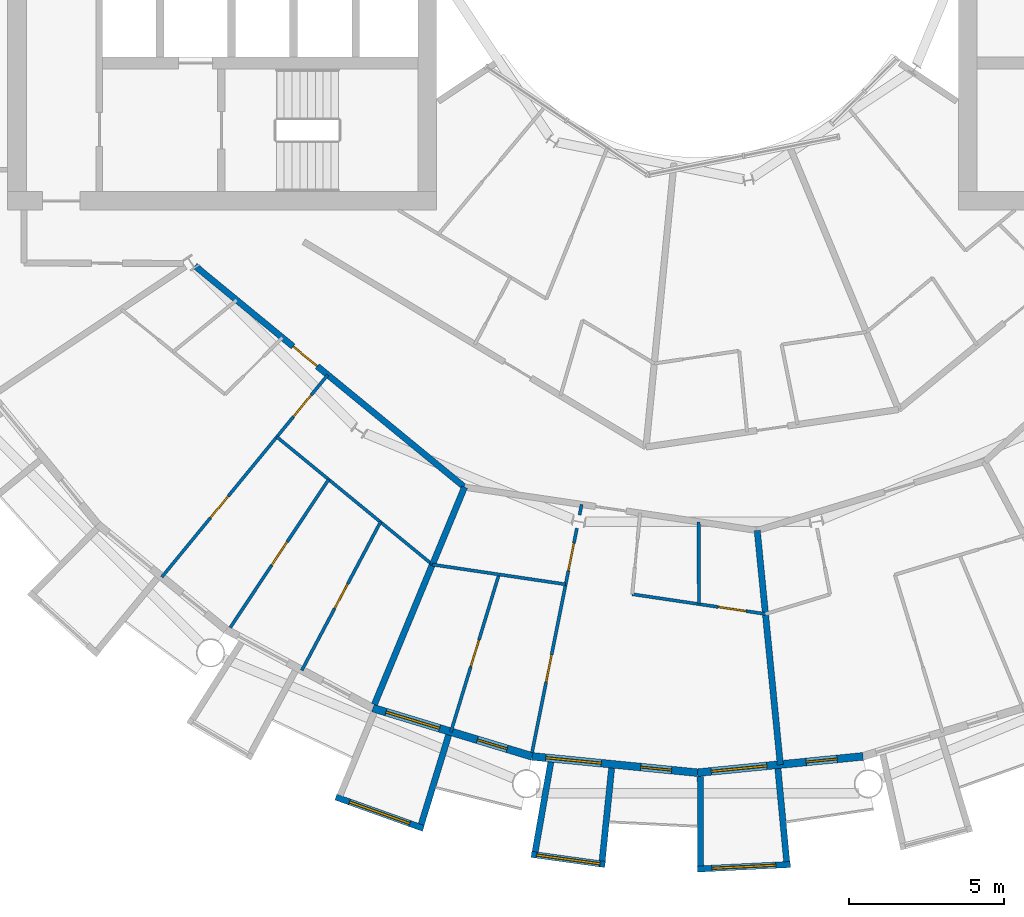
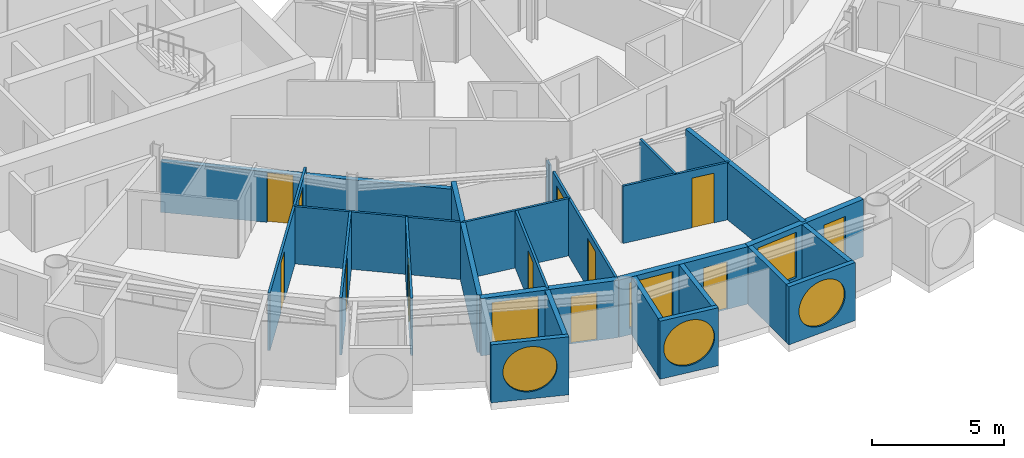
# One storey, part 14 of 27: 25 walls, 12 doors, 6 windows, 18 openings.
"""IFC4 building model written with IfcOpenShell, lengths in metres."""

from ifc_helpers import new_model, si_unit, direction, frame, frame_2d, origin, place, context, subcontext, project, spatial, rectangle, circle, extrude, material, layer, layer_set, type_object, element, fill, save


model = new_model("IFC4")

# Units and contexts
model_context = context("Model", 3, precision=1e-05, world=origin(), true_north=direction((0.0, 1.0)))
body_context = subcontext(model_context, "Body", "Model", "MODEL_VIEW")
ifc_project = project(units=[si_unit("LENGTHUNIT", "METRE"), si_unit("AREAUNIT", "SQUARE_METRE"), si_unit("VOLUMEUNIT", "CUBIC_METRE"), si_unit("PLANEANGLEUNIT", "RADIAN"), si_unit("MASSUNIT", "GRAM", prefix="KILO")], contexts=[model_context])

# Site, building, storey
site_placement = place(None, origin())
site = spatial("IfcSite", under=ifc_project, at=site_placement, CompositionType="ELEMENT")
building_placement = place(site_placement, origin())
building = spatial("IfcBuilding", under=site, at=building_placement, Name="Maasbend Ring Residences", CompositionType="ELEMENT")
storey_placement = place(building_placement, frame((0.0, 0.0, 136.050048828125)))
storey = spatial("IfcBuildingStorey", under=building, at=storey_placement, Name="L39", CompositionType="ELEMENT", Elevation=136.050048828125)

# Wall, opening, door
ifc_material_1 = material(Name="Concrete C30/37", Category="concrete")
ifc_layer_1 = layer(ifc_material_1, 0.199951171875)
ifc_layer_set_1 = layer_set([ifc_layer_1], Name="Concrete C30/37")
wall_type_1 = type_object("IfcWallType", Name="CORRIDOR WALL 200 CONCRETE", PredefinedType="PARTITIONING", material=ifc_layer_set_1)
wall_1_placement = place(storey_placement, frame((-16.173095703125, -10.990966796875, 0.0), z_axis=(0.0, 0.0, 1.0), x_axis=(0.773013989296, -0.634388975591, 0.0)))
wall_1 = element("IfcWall", 1, at=wall_1_placement, inside=storey, type_object=wall_type_1, Name="U-L39-w015", PredefinedType="PARTITIONING", context=body_context, shape_type="SweptSolid", body=[
    extrude(rectangle(XDim=11.218505859375, YDim=0.199951171875, at=frame_2d((5.609375, 0.0))), origin(), (0.0, 0.0, 1.0), 2.33984375),
])
opening_1_placement = place(wall_1_placement, frame((4.089111328125, 0.0, 0.0)))
opening_1 = element("IfcOpeningElement", 2, at=opening_1_placement, cuts=wall_1, Name="Opening D-3936", PredefinedType="OPENING", context=body_context, shape_type="SweptSolid", body=[
    extrude(rectangle(XDim=1.0, YDim=2.300048828125, at=frame_2d((0.5, 1.14990234375))), frame((0.0, 0.10986328125, 0.0), z_axis=(0.0, -1.0, 0.0), x_axis=(1.0, 0.0, 0.0)), (0.0, 0.0, 1.0), 0.219970703125),
])
ifc_material_2 = material(Name="Timber, fire-rated, painted", Category="wood")
door_type_1 = type_object("IfcDoorType", Name="FLAT ENTRANCE DOOR 1000 X 2300 FIRE-RATED", OperationType="NOTDEFINED", PredefinedType="DOOR", material=ifc_material_2)
door_1_placement = place(opening_1_placement, origin())
door_1 = element("IfcDoor", 3, at=door_1_placement, inside=storey, type_object=door_type_1, Name="D-3936", OperationType="SINGLE_SWING_LEFT", OverallHeight=2.300048828125, OverallWidth=1.0, PredefinedType="DOOR", context=body_context, shape_type="SweptSolid", body=[
    extrude(rectangle(XDim=1.0, YDim=2.300048828125, at=frame_2d((0.5, 1.14990234375))), frame((0.0, 0.02490234375, 0.0), z_axis=(0.0, -1.0, 0.0), x_axis=(1.0, 0.0, 0.0)), (0.0, 0.0, 1.0), 0.050048828125),
])
fill(opening_1, door_1)

# Wall, opening, window
ifc_material_3 = material(Name="Pale anodised aluminium panel", Category="aluminium")
ifc_layer_2 = layer(ifc_material_3, 0.199951171875)
ifc_layer_set_2 = layer_set([ifc_layer_2], Name="EW-BOX")
wall_type_2 = type_object("IfcWallType", Name="EW-BOX", PredefinedType="SOLIDWALL", material=ifc_layer_set_2)
wall_2_placement = place(storey_placement, frame((-11.637939453125, -28.083984375, -0.030029296875), z_axis=(0.0, 0.0, 1.0), x_axis=(0.941461077774, -0.337121697664, 0.0)))
wall_2 = element("IfcWall", 4, at=wall_2_placement, inside=storey, type_object=wall_type_2, Name="Box front S07", PredefinedType="SOLIDWALL", context=body_context, shape_type="SweptSolid", body=[
    extrude(rectangle(XDim=2.9931640625, YDim=0.199951171875, at=frame_2d((1.49658203125, 0.0))), origin(), (0.0, 0.0, 1.0), 2.679931640625),
])
opening_2_placement = place(wall_2_placement, frame((0.45654296875, 0.0, 0.330078125)))
opening_2 = element("IfcOpeningElement", 5, at=opening_2_placement, cuts=wall_2, Name="Opening W-RD", PredefinedType="OPENING", context=body_context, shape_type="SweptSolid", body=[
    extrude(circle(Radius=1.0400390625, at=frame_2d((1.0400390625, 1.0400390625))), frame((0.0, 0.10986328125, 0.0), z_axis=(0.0, -1.0, 0.0), x_axis=(1.0, 0.0, 0.0)), (0.0, 0.0, 1.0), 0.219970703125),
])
ifc_material_4 = material(Name="Aluminium and clear glass", Category="aluminium")
window_type_1 = type_object("IfcWindowType", Name="W-RD", PartitioningType="SINGLE_PANEL", PredefinedType="WINDOW", material=ifc_material_4)
window_1_placement = place(opening_2_placement, origin())
window_1 = element("IfcWindow", 6, at=window_1_placement, inside=storey, type_object=window_type_1, Name="Round window S07", OverallHeight=2.080078125, OverallWidth=2.080078125, PartitioningType="SINGLE_PANEL", PredefinedType="WINDOW", context=body_context, shape_type="SweptSolid", body=[
    extrude(circle(Radius=1.0400390625, at=frame_2d((1.0400390625, 1.0400390625))), frame((0.0, 0.030029296875, 0.0), z_axis=(0.0, -1.0, 0.0), x_axis=(1.0, 0.0, 0.0)), (0.0, 0.0, 1.0), 0.06005859375),
])
fill(opening_2, window_1)

# Wall
wall_3_placement = place(storey_placement, frame((-8.009033203125, -26.092041015625, -0.030029296875), z_axis=(0.0, 0.0, 1.0), x_axis=(-0.293406695073, -0.955987715029, 0.0)))
element("IfcWall", 7, at=wall_3_placement, inside=storey, type_object=wall_type_2, Name="Box side wall S07 right", PredefinedType="SOLIDWALL", context=body_context, shape_type="SweptSolid", body=[
    extrude(rectangle(XDim=3.00634765625, YDim=0.199951171875, at=frame_2d((1.503173828125, 0.0))), origin(), (0.0, 0.0, 1.0), 2.679931640625),
])

# Wall, opening, window
wall_4_placement = place(storey_placement, frame((-5.344970703125, -29.927001953125, -0.030029296875), z_axis=(0.0, 0.0, 1.0), x_axis=(0.99061207328, -0.136703036805, 0.0)))
wall_4 = element("IfcWall", 8, at=wall_4_placement, inside=storey, type_object=wall_type_2, Name="Box front S09", PredefinedType="SOLIDWALL", context=body_context, shape_type="SweptSolid", body=[
    extrude(rectangle(XDim=2.391357421875, YDim=0.199951171875, at=frame_2d((1.19580078125, 0.0))), origin(), (0.0, 0.0, 1.0), 2.679931640625),
])
opening_3_placement = place(wall_4_placement, frame((0.15576171875, 0.0, 0.330078125)))
opening_3 = element("IfcOpeningElement", 9, at=opening_3_placement, cuts=wall_4, Name="Opening W-RD", PredefinedType="OPENING", context=body_context, shape_type="SweptSolid", body=[
    extrude(circle(Radius=1.0400390625, at=frame_2d((1.0400390625, 1.0400390625))), frame((0.0, 0.10986328125, 0.0), z_axis=(0.0, -1.0, 0.0), x_axis=(1.0, 0.0, 0.0)), (0.0, 0.0, 1.0), 0.219970703125),
])
window_2_placement = place(opening_3_placement, origin())
window_2 = element("IfcWindow", 10, at=window_2_placement, inside=storey, type_object=window_type_1, Name="Round window S09", OverallHeight=2.080078125, OverallWidth=2.080078125, PartitioningType="SINGLE_PANEL", PredefinedType="WINDOW", context=body_context, shape_type="SweptSolid", body=[
    extrude(circle(Radius=1.0400390625, at=frame_2d((1.0400390625, 1.0400390625))), frame((0.0, 0.030029296875, 0.0), z_axis=(0.0, -1.0, 0.0), x_axis=(1.0, 0.0, 0.0)), (0.0, 0.0, 1.0), 0.06005859375),
])
fill(opening_3, window_2)

# Walls
wall_5_placement = place(storey_placement, frame((-4.719970703125, -26.9609375, -0.030029296875), z_axis=(0.0, 0.0, 1.0), x_axis=(-0.172463232037, -0.98501595601, 0.0)))
element("IfcWall", 11, at=wall_5_placement, inside=storey, type_object=wall_type_2, Name="Box side wall S09 left", PredefinedType="SOLIDWALL", context=body_context, shape_type="SweptSolid", body=[
    extrude(rectangle(XDim=2.928955078125, YDim=0.199951171875, at=frame_2d((1.46435546875, 0.0))), origin(), (0.0, 0.0, 1.0), 2.679931640625),
])
wall_6_placement = place(storey_placement, frame((-2.763916015625, -27.153076171875, -0.030029296875), z_axis=(0.0, 0.0, 1.0), x_axis=(-0.101505487237, -0.994834979311, 0.0)))
element("IfcWall", 12, at=wall_6_placement, inside=storey, type_object=wall_type_2, Name="Box side wall S09 right", PredefinedType="SOLIDWALL", context=body_context, shape_type="SweptSolid", body=[
    extrude(rectangle(XDim=3.006591796875, YDim=0.199951171875, at=frame_2d((1.50341796875, 0.0))), origin(), (0.0, 0.0, 1.0), 2.679931640625),
])

# Wall, opening, window
wall_7_placement = place(storey_placement, frame((-0.0048828125, -30.39990234375, -0.030029296875), z_axis=(0.0, 0.0, 1.0), x_axis=(0.998794083011, 0.049095618353, 0.0)))
wall_7 = element("IfcWall", 13, at=wall_7_placement, inside=storey, type_object=wall_type_2, Name="Box front S11", PredefinedType="SOLIDWALL", context=body_context, shape_type="SweptSolid", body=[
    extrude(rectangle(XDim=2.99365234375, YDim=0.199951171875, at=frame_2d((1.496826171875, 0.0))), origin(), (0.0, 0.0, 1.0), 2.679931640625),
])
opening_4_placement = place(wall_7_placement, frame((0.45654296875, 0.0, 0.330078125)))
opening_4 = element("IfcOpeningElement", 14, at=opening_4_placement, cuts=wall_7, Name="Opening W-RD", PredefinedType="OPENING", context=body_context, shape_type="SweptSolid", body=[
    extrude(circle(Radius=1.0400390625, at=frame_2d((1.0400390625, 1.0400390625))), frame((0.0, 0.10986328125, 0.0), z_axis=(0.0, -1.0, 0.0), x_axis=(1.0, 0.0, 0.0)), (0.0, 0.0, 1.0), 0.219970703125),
])
window_3_placement = place(opening_4_placement, origin())
window_3 = element("IfcWindow", 15, at=window_3_placement, inside=storey, type_object=window_type_1, Name="Round window S11", OverallHeight=2.080078125, OverallWidth=2.080078125, PartitioningType="SINGLE_PANEL", PredefinedType="WINDOW", context=body_context, shape_type="SweptSolid", body=[
    extrude(circle(Radius=1.0400390625, at=frame_2d((1.0400390625, 1.0400390625))), frame((0.0, 0.030029296875, 0.0), z_axis=(0.0, -1.0, 0.0), x_axis=(1.0, 0.0, 0.0)), (0.0, 0.0, 1.0), 0.06005859375),
])
fill(opening_4, window_3)

# Walls
wall_8_placement = place(storey_placement, frame((0.090087890625, -27.4169921875, -0.030029296875), z_axis=(0.0, 0.0, 1.0), x_axis=(0.00347308367, -0.999993968827, 0.0)))
element("IfcWall", 16, at=wall_8_placement, inside=storey, type_object=wall_type_2, Name="Box side wall S11 left", PredefinedType="SOLIDWALL", context=body_context, shape_type="SweptSolid", body=[
    extrude(rectangle(XDim=2.882080078125, YDim=0.199951171875, at=frame_2d((1.44091796875, 0.0))), origin(), (0.0, 0.0, 1.0), 2.679931640625),
])
wall_9_placement = place(storey_placement, frame((2.5859375, -27.1708984375, -0.030029296875), z_axis=(0.0, 0.0, 1.0), x_axis=(0.094548432284, -0.995520262954, 0.0)))
element("IfcWall", 17, at=wall_9_placement, inside=storey, type_object=wall_type_2, Name="Box side wall S11 right", PredefinedType="SOLIDWALL", context=body_context, shape_type="SweptSolid", body=[
    extrude(rectangle(XDim=3.005615234375, YDim=0.199951171875, at=frame_2d((1.5029296875, 0.0))), origin(), (0.0, 0.0, 1.0), 2.679931640625),
])

# Wall, openings, door, window
ifc_material_5 = material(Name="Aluminium clad insulated panel", Category="aluminium")
ifc_layer_3 = layer(ifc_material_5, 0.25)
ifc_layer_set_3 = layer_set([ifc_layer_3], Name="EW-GL")
wall_type_3 = type_object("IfcWallType", Name="EW-GL", PredefinedType="SOLIDWALL", material=ifc_layer_set_3)
wall_10_placement = place(storey_placement, frame((-10.447021484375, -25.221923828125, 0.0), z_axis=(0.0, 0.0, 1.0), x_axis=(0.956965678721, -0.290201119486, 0.0)))
wall_10 = element("IfcWall", 18, at=wall_10_placement, inside=storey, type_object=wall_type_3, Name="External wall S04", PredefinedType="SOLIDWALL", context=body_context, shape_type="SweptSolid", body=[
    extrude(rectangle(XDim=5.351318359375, YDim=0.25, at=frame_2d((2.67578125, 0.0))), origin(), (0.0, 0.0, 1.0), 2.64990234375),
])
opening_5_placement = place(wall_10_placement, frame((0.441162109375, 0.0, 0.300048828125)))
opening_5 = element("IfcOpeningElement", 19, at=opening_5_placement, cuts=wall_10, Name="Opening W-BX", PredefinedType="OPENING", context=body_context, shape_type="SweptSolid", body=[
    extrude(rectangle(XDim=1.800048828125, YDim=2.10009765625, at=frame_2d((0.89990234375, 1.050048828125))), frame((0.0, 0.135009765625, 0.0), z_axis=(0.0, -1.0, 0.0), x_axis=(1.0, 0.0, 0.0)), (0.0, 0.0, 1.0), 0.27001953125),
])
opening_6_placement = place(wall_10_placement, frame((3.510498046875, 0.0, 0.0)))
opening_6 = element("IfcOpeningElement", 20, at=opening_6_placement, cuts=wall_10, Name="Opening D-LG", PredefinedType="OPENING", context=body_context, shape_type="SweptSolid", body=[
    extrude(rectangle(XDim=1.0, YDim=2.199951171875, at=frame_2d((0.5, 1.10009765625))), frame((0.0, 0.135009765625, 0.0), z_axis=(0.0, -1.0, 0.0), x_axis=(1.0, 0.0, 0.0)), (0.0, 0.0, 1.0), 0.27001953125),
])
ifc_material_6 = material(Name="Aluminium and clear glass", Category="aluminium")
door_type_2 = type_object("IfcDoorType", Name="D-LG", OperationType="SINGLE_SWING_LEFT", PredefinedType="DOOR", material=ifc_material_6)
door_2_placement = place(opening_6_placement, origin())
door_2 = element("IfcDoor", 21, at=door_2_placement, inside=storey, type_object=door_type_2, Name="Loggia door S08", OperationType="SINGLE_SWING_LEFT", OverallHeight=2.199951171875, OverallWidth=1.0, PredefinedType="DOOR", context=body_context, shape_type="SweptSolid", body=[
    extrude(rectangle(XDim=1.0, YDim=2.199951171875, at=frame_2d((0.5, 1.10009765625))), frame((0.0, 0.02490234375, 0.0), z_axis=(0.0, -1.0, 0.0), x_axis=(1.0, 0.0, 0.0)), (0.0, 0.0, 1.0), 0.050048828125),
])
fill(opening_6, door_2)
ifc_material_7 = material(Name="Aluminium and clear glass", Category="aluminium")
window_type_2 = type_object("IfcWindowType", Name="W-BX", PartitioningType="DOUBLE_PANEL_VERTICAL", PredefinedType="WINDOW", material=ifc_material_7)
window_4_placement = place(opening_5_placement, origin())
window_4 = element("IfcWindow", 22, at=window_4_placement, inside=storey, type_object=window_type_2, Name="Window S07 room to box", OverallHeight=2.10009765625, OverallWidth=1.800048828125, PartitioningType="SINGLE_PANEL", PredefinedType="WINDOW", context=body_context, shape_type="SweptSolid", body=[
    extrude(rectangle(XDim=1.800048828125, YDim=2.10009765625, at=frame_2d((0.89990234375, 1.050048828125))), frame((0.0, 0.030029296875, 0.0), z_axis=(0.0, -1.0, 0.0), x_axis=(1.0, 0.0, 0.0)), (0.0, 0.0, 1.0), 0.06005859375),
])
fill(opening_5, window_4)

wall_11_placement = place(storey_placement, frame((-5.325927734375, -26.77490234375, 0.0), z_axis=(0.0, 0.0, 1.0), x_axis=(0.995173996315, -0.098126026407, 0.0)))
wall_11 = element("IfcWall", 23, at=wall_11_placement, inside=storey, type_object=wall_type_3, Name="External wall S05", PredefinedType="SOLIDWALL", context=body_context, shape_type="SweptSolid", body=[
    extrude(rectangle(XDim=5.351806640625, YDim=0.25, at=frame_2d((2.67578125, 0.0))), origin(), (0.0, 0.0, 1.0), 2.64990234375),
])
opening_7_placement = place(wall_11_placement, frame((0.441162109375, 0.0, 0.300048828125)))
opening_7 = element("IfcOpeningElement", 24, at=opening_7_placement, cuts=wall_11, Name="Opening W-BX", PredefinedType="OPENING", context=body_context, shape_type="SweptSolid", body=[
    extrude(rectangle(XDim=1.800048828125, YDim=2.10009765625, at=frame_2d((0.89990234375, 1.050048828125))), frame((0.0, 0.135009765625, 0.0), z_axis=(0.0, -1.0, 0.0), x_axis=(1.0, 0.0, 0.0)), (0.0, 0.0, 1.0), 0.27001953125),
])
opening_8_placement = place(wall_11_placement, frame((3.510498046875, 0.0, 0.0)))
opening_8 = element("IfcOpeningElement", 25, at=opening_8_placement, cuts=wall_11, Name="Opening D-LG", PredefinedType="OPENING", context=body_context, shape_type="SweptSolid", body=[
    extrude(rectangle(XDim=1.0, YDim=2.199951171875, at=frame_2d((0.5, 1.10009765625))), frame((0.0, 0.135009765625, 0.0), z_axis=(0.0, -1.0, 0.0), x_axis=(1.0, 0.0, 0.0)), (0.0, 0.0, 1.0), 0.27001953125),
])
door_3_placement = place(opening_8_placement, origin())
door_3 = element("IfcDoor", 26, at=door_3_placement, inside=storey, type_object=door_type_2, Name="Loggia door S10", OperationType="SINGLE_SWING_LEFT", OverallHeight=2.199951171875, OverallWidth=1.0, PredefinedType="DOOR", context=body_context, shape_type="SweptSolid", body=[
    extrude(rectangle(XDim=1.0, YDim=2.199951171875, at=frame_2d((0.5, 1.10009765625))), frame((0.0, 0.02490234375, 0.0), z_axis=(0.0, -1.0, 0.0), x_axis=(1.0, 0.0, 0.0)), (0.0, 0.0, 1.0), 0.050048828125),
])
fill(opening_8, door_3)
window_5_placement = place(opening_7_placement, origin())
window_5 = element("IfcWindow", 27, at=window_5_placement, inside=storey, type_object=window_type_2, Name="Window S09 room to box", OverallHeight=2.10009765625, OverallWidth=1.800048828125, PartitioningType="SINGLE_PANEL", PredefinedType="WINDOW", context=body_context, shape_type="SweptSolid", body=[
    extrude(rectangle(XDim=1.800048828125, YDim=2.10009765625, at=frame_2d((0.89990234375, 1.050048828125))), frame((0.0, 0.030029296875, 0.0), z_axis=(0.0, -1.0, 0.0), x_axis=(1.0, 0.0, 0.0)), (0.0, 0.0, 1.0), 0.06005859375),
])
fill(opening_7, window_5)

wall_12_placement = place(storey_placement, frame((0.0, -27.300048828125, 0.0), z_axis=(0.0, 0.0, 1.0), x_axis=(0.995173996315, 0.098126026407, 0.0)))
wall_12 = element("IfcWall", 28, at=wall_12_placement, inside=storey, type_object=wall_type_3, Name="External wall S06", PredefinedType="SOLIDWALL", context=body_context, shape_type="SweptSolid", body=[
    extrude(rectangle(XDim=5.351806640625, YDim=0.25, at=frame_2d((2.67578125, 0.0))), origin(), (0.0, 0.0, 1.0), 2.64990234375),
])
opening_9_placement = place(wall_12_placement, frame((0.441162109375, 0.0, 0.300048828125)))
opening_9 = element("IfcOpeningElement", 29, at=opening_9_placement, cuts=wall_12, Name="Opening W-BX", PredefinedType="OPENING", context=body_context, shape_type="SweptSolid", body=[
    extrude(rectangle(XDim=1.800048828125, YDim=2.10009765625, at=frame_2d((0.89990234375, 1.050048828125))), frame((0.0, 0.135009765625, 0.0), z_axis=(0.0, -1.0, 0.0), x_axis=(1.0, 0.0, 0.0)), (0.0, 0.0, 1.0), 0.27001953125),
])
opening_10_placement = place(wall_12_placement, frame((3.510498046875, 0.0, 0.0)))
opening_10 = element("IfcOpeningElement", 30, at=opening_10_placement, cuts=wall_12, Name="Opening D-LG", PredefinedType="OPENING", context=body_context, shape_type="SweptSolid", body=[
    extrude(rectangle(XDim=1.0, YDim=2.199951171875, at=frame_2d((0.5, 1.10009765625))), frame((0.0, 0.135009765625, 0.0), z_axis=(0.0, -1.0, 0.0), x_axis=(1.0, 0.0, 0.0)), (0.0, 0.0, 1.0), 0.27001953125),
])
door_4_placement = place(opening_10_placement, origin())
door_4 = element("IfcDoor", 31, at=door_4_placement, inside=storey, type_object=door_type_2, Name="Loggia door S12", OperationType="SINGLE_SWING_LEFT", OverallHeight=2.199951171875, OverallWidth=1.0, PredefinedType="DOOR", context=body_context, shape_type="SweptSolid", body=[
    extrude(rectangle(XDim=1.0, YDim=2.199951171875, at=frame_2d((0.5, 1.10009765625))), frame((0.0, 0.02490234375, 0.0), z_axis=(0.0, -1.0, 0.0), x_axis=(1.0, 0.0, 0.0)), (0.0, 0.0, 1.0), 0.050048828125),
])
fill(opening_10, door_4)
window_6_placement = place(opening_9_placement, origin())
window_6 = element("IfcWindow", 32, at=window_6_placement, inside=storey, type_object=window_type_2, Name="Window S11 room to box", OverallHeight=2.10009765625, OverallWidth=1.800048828125, PartitioningType="SINGLE_PANEL", PredefinedType="WINDOW", context=body_context, shape_type="SweptSolid", body=[
    extrude(rectangle(XDim=1.800048828125, YDim=2.10009765625, at=frame_2d((0.89990234375, 1.050048828125))), frame((0.0, 0.030029296875, 0.0), z_axis=(0.0, -1.0, 0.0), x_axis=(1.0, 0.0, 0.0)), (0.0, 0.0, 1.0), 0.06005859375),
])
fill(opening_9, window_6)

# Wall
ifc_material_8 = material(Name="Gypsum board on steel studs", Category="steel")
ifc_layer_4 = layer(ifc_material_8, 0.10009765625)
ifc_layer_set_4 = layer_set([ifc_layer_4], Name="PARTITION 100 GYPSUM")
wall_type_4 = type_object("IfcWallType", Name="PARTITION 100 GYPSUM", PredefinedType="PARTITIONING", material=ifc_layer_set_4)
wall_13_placement = place(storey_placement, frame((-8.533935546875, -20.60302734375, 0.0), z_axis=(0.0, 0.0, 1.0), x_axis=(0.989178348771, -0.146718077695, 0.0)))
element("IfcWall", 33, at=wall_13_placement, inside=storey, type_object=wall_type_4, Name="U-L39-w005", PredefinedType="PARTITIONING", context=body_context, shape_type="SweptSolid", body=[
    extrude(rectangle(XDim=4.334716796875, YDim=0.10009765625, at=frame_2d((2.16748046875, 0.0))), origin(), (0.0, 0.0, 1.0), 2.64990234375),
])

# Wall, opening, door
wall_14_placement = place(storey_placement, frame((-2.10205078125, -21.556884765625, 0.0), z_axis=(0.0, 0.0, 1.0), x_axis=(0.989171386505, -0.146765009863, 0.0)))
wall_14 = element("IfcWall", 34, at=wall_14_placement, inside=storey, type_object=wall_type_4, Name="U-L39-w006", PredefinedType="PARTITIONING", context=body_context, shape_type="SweptSolid", body=[
    extrude(rectangle(XDim=4.3349609375, YDim=0.10009765625, at=frame_2d((2.16748046875, 0.0))), origin(), (0.0, 0.0, 1.0), 2.64990234375),
])
opening_11_placement = place(wall_14_placement, frame((2.801025390625, 0.0, 0.0)))
opening_11 = element("IfcOpeningElement", 35, at=opening_11_placement, cuts=wall_14, Name="Opening D-3944", PredefinedType="OPENING", context=body_context, shape_type="SweptSolid", body=[
    extrude(rectangle(XDim=0.89990234375, YDim=2.300048828125, at=frame_2d((0.449951171875, 1.14990234375))), frame((0.0, 0.06005859375, 0.0), z_axis=(0.0, -1.0, 0.0), x_axis=(1.0, 0.0, 0.0)), (0.0, 0.0, 1.0), 0.1201171875),
])
ifc_material_9 = material(Name="Timber, painted", Category="wood")
door_type_3 = type_object("IfcDoorType", Name="INTERNAL DOOR 900 X 2300", OperationType="NOTDEFINED", PredefinedType="DOOR", material=ifc_material_9)
door_5_placement = place(opening_11_placement, origin())
door_5 = element("IfcDoor", 36, at=door_5_placement, inside=storey, type_object=door_type_3, Name="D-3944", OperationType="SINGLE_SWING_RIGHT", OverallHeight=2.300048828125, OverallWidth=0.89990234375, PredefinedType="DOOR", context=body_context, shape_type="SweptSolid", body=[
    extrude(rectangle(XDim=0.89990234375, YDim=2.300048828125, at=frame_2d((0.449951171875, 1.14990234375))), frame((0.0, 0.02490234375, 0.0), z_axis=(0.0, -1.0, 0.0), x_axis=(1.0, 0.0, 0.0)), (0.0, 0.0, 1.0), 0.050048828125),
])
fill(opening_11, door_5)

# Wall
wall_15_placement = place(storey_placement, frame((-13.5380859375, -16.49609375, 0.0), z_axis=(0.0, 0.0, 1.0), x_axis=(0.773000340237, -0.634405606843, 0.0)))
element("IfcWall", 37, at=wall_15_placement, inside=storey, type_object=wall_type_4, Name="U-L39-w010", PredefinedType="PARTITIONING", context=body_context, shape_type="SweptSolid", body=[
    extrude(rectangle(XDim=6.4736328125, YDim=0.10009765625, at=frame_2d((3.23681640625, 0.0))), origin(), (0.0, 0.0, 1.0), 2.64990234375),
])

# Wall, openings, doors
wall_16_placement = place(storey_placement, frame((-17.239990234375, -21.007080078125, 0.0), z_axis=(0.0, 0.0, 1.0), x_axis=(0.634396151441, 0.77300810024, 0.0)))
wall_16 = element("IfcWall", 38, at=wall_16_placement, inside=storey, type_object=wall_type_4, Name="U-L39-w031", PredefinedType="PARTITIONING", context=body_context, shape_type="SweptSolid", body=[
    extrude(rectangle(XDim=8.419189453125, YDim=0.10009765625, at=frame_2d((4.20947265625, 0.0))), origin(), (0.0, 0.0, 1.0), 2.64990234375),
])
opening_12_placement = place(wall_16_placement, frame((6.678955078125, 0.0, 0.0)))
opening_12 = element("IfcOpeningElement", 39, at=opening_12_placement, cuts=wall_16, Name="Opening D-3939", PredefinedType="OPENING", context=body_context, shape_type="SweptSolid", body=[
    extrude(rectangle(XDim=0.89990234375, YDim=2.300048828125, at=frame_2d((0.449951171875, 1.14990234375))), frame((0.0, 0.06005859375, 0.0), z_axis=(0.0, -1.0, 0.0), x_axis=(1.0, 0.0, 0.0)), (0.0, 0.0, 1.0), 0.1201171875),
])
opening_13_placement = place(wall_16_placement, frame((2.468017578125, 0.0, 0.0)))
opening_13 = element("IfcOpeningElement", 40, at=opening_13_placement, cuts=wall_16, Name="Opening D-3940", PredefinedType="OPENING", context=body_context, shape_type="SweptSolid", body=[
    extrude(rectangle(XDim=0.89990234375, YDim=2.300048828125, at=frame_2d((0.449951171875, 1.14990234375))), frame((0.0, 0.06005859375, 0.0), z_axis=(0.0, -1.0, 0.0), x_axis=(1.0, 0.0, 0.0)), (0.0, 0.0, 1.0), 0.1201171875),
])
door_6_placement = place(opening_12_placement, origin())
door_6 = element("IfcDoor", 41, at=door_6_placement, inside=storey, type_object=door_type_3, Name="D-3939", OperationType="SINGLE_SWING_RIGHT", OverallHeight=2.300048828125, OverallWidth=0.89990234375, PredefinedType="DOOR", context=body_context, shape_type="SweptSolid", body=[
    extrude(rectangle(XDim=0.89990234375, YDim=2.300048828125, at=frame_2d((0.449951171875, 1.14990234375))), frame((0.0, 0.02490234375, 0.0), z_axis=(0.0, -1.0, 0.0), x_axis=(1.0, 0.0, 0.0)), (0.0, 0.0, 1.0), 0.050048828125),
])
fill(opening_12, door_6)
door_7_placement = place(opening_13_placement, origin())
door_7 = element("IfcDoor", 42, at=door_7_placement, inside=storey, type_object=door_type_3, Name="D-3940", OperationType="SINGLE_SWING_LEFT", OverallHeight=2.300048828125, OverallWidth=0.89990234375, PredefinedType="DOOR", context=body_context, shape_type="SweptSolid", body=[
    extrude(rectangle(XDim=0.89990234375, YDim=2.300048828125, at=frame_2d((0.449951171875, 1.14990234375))), frame((0.0, 0.02490234375, 0.0), z_axis=(0.0, -1.0, 0.0), x_axis=(1.0, 0.0, 0.0)), (0.0, 0.0, 1.0), 0.050048828125),
])
fill(opening_13, door_7)

# Wall, opening, door
wall_17_placement = place(storey_placement, frame((-15.0390625, -22.634033203125, 0.0), z_axis=(0.0, 0.0, 1.0), x_axis=(0.553440102418, 0.832888980018, 0.0)))
wall_17 = element("IfcWall", 43, at=wall_17_placement, inside=storey, type_object=wall_type_4, Name="U-L39-w038", PredefinedType="PARTITIONING", context=body_context, shape_type="SweptSolid", body=[
    extrude(rectangle(XDim=5.725830078125, YDim=0.10009765625, at=frame_2d((2.86279296875, 0.0))), origin(), (0.0, 0.0, 1.0), 2.64990234375),
])
opening_14_placement = place(wall_17_placement, frame((2.4130859375, 0.0, 0.0)))
opening_14 = element("IfcOpeningElement", 44, at=opening_14_placement, cuts=wall_17, Name="Opening D-3941", PredefinedType="OPENING", context=body_context, shape_type="SweptSolid", body=[
    extrude(rectangle(XDim=0.89990234375, YDim=2.300048828125, at=frame_2d((0.449951171875, 1.14990234375))), frame((0.0, 0.06005859375, 0.0), z_axis=(0.0, -1.0, 0.0), x_axis=(1.0, 0.0, 0.0)), (0.0, 0.0, 1.0), 0.1201171875),
])
door_8_placement = place(opening_14_placement, origin())
door_8 = element("IfcDoor", 45, at=door_8_placement, inside=storey, type_object=door_type_3, Name="D-3941", OperationType="SINGLE_SWING_RIGHT", OverallHeight=2.300048828125, OverallWidth=0.89990234375, PredefinedType="DOOR", context=body_context, shape_type="SweptSolid", body=[
    extrude(rectangle(XDim=0.89990234375, YDim=2.300048828125, at=frame_2d((0.449951171875, 1.14990234375))), frame((0.0, 0.02490234375, 0.0), z_axis=(0.0, -1.0, 0.0), x_axis=(1.0, 0.0, 0.0)), (0.0, 0.0, 1.0), 0.050048828125),
])
fill(opening_14, door_8)

wall_18_placement = place(storey_placement, frame((-12.73388671875, -24.007080078125, 0.0), z_axis=(0.0, 0.0, 1.0), x_axis=(0.468610030042, 0.883405139075, 0.0)))
wall_18 = element("IfcWall", 46, at=wall_18_placement, inside=storey, type_object=wall_type_4, Name="U-L39-w040", PredefinedType="PARTITIONING", context=body_context, shape_type="SweptSolid", body=[
    extrude(rectangle(XDim=5.403076171875, YDim=0.10009765625, at=frame_2d((2.70166015625, 0.0))), origin(), (0.0, 0.0, 1.0), 2.64990234375),
])
opening_15_placement = place(wall_18_placement, frame((2.251953125, 0.0, 0.0)))
opening_15 = element("IfcOpeningElement", 47, at=opening_15_placement, cuts=wall_18, Name="Opening D-3942", PredefinedType="OPENING", context=body_context, shape_type="SweptSolid", body=[
    extrude(rectangle(XDim=0.89990234375, YDim=2.300048828125, at=frame_2d((0.449951171875, 1.14990234375))), frame((0.0, 0.06005859375, 0.0), z_axis=(0.0, -1.0, 0.0), x_axis=(1.0, 0.0, 0.0)), (0.0, 0.0, 1.0), 0.1201171875),
])
door_9_placement = place(opening_15_placement, origin())
door_9 = element("IfcDoor", 48, at=door_9_placement, inside=storey, type_object=door_type_3, Name="D-3942", OperationType="SINGLE_SWING_LEFT", OverallHeight=2.300048828125, OverallWidth=0.89990234375, PredefinedType="DOOR", context=body_context, shape_type="SweptSolid", body=[
    extrude(rectangle(XDim=0.89990234375, YDim=2.300048828125, at=frame_2d((0.449951171875, 1.14990234375))), frame((0.0, 0.02490234375, 0.0), z_axis=(0.0, -1.0, 0.0), x_axis=(1.0, 0.0, 0.0)), (0.0, 0.0, 1.0), 0.050048828125),
])
fill(opening_15, door_9)

wall_19_placement = place(storey_placement, frame((-7.93798828125, -25.989990234375, 0.0), z_axis=(0.0, 0.0, 1.0), x_axis=(0.292081613207, 0.956393397732, 0.0)))
wall_19 = element("IfcWall", 49, at=wall_19_placement, inside=storey, type_object=wall_type_4, Name="U-L39-w047", PredefinedType="PARTITIONING", context=body_context, shape_type="SweptSolid", body=[
    extrude(rectangle(XDim=5.30029296875, YDim=0.10009765625, at=frame_2d((2.650146484375, 0.0))), origin(), (0.0, 0.0, 1.0), 2.64990234375),
])
opening_16_placement = place(wall_19_placement, frame((2.199951171875, 0.0, 0.0)))
opening_16 = element("IfcOpeningElement", 50, at=opening_16_placement, cuts=wall_19, Name="Opening D-3948", PredefinedType="OPENING", context=body_context, shape_type="SweptSolid", body=[
    extrude(rectangle(XDim=0.89990234375, YDim=2.300048828125, at=frame_2d((0.449951171875, 1.14990234375))), frame((0.0, 0.06005859375, 0.0), z_axis=(0.0, -1.0, 0.0), x_axis=(1.0, 0.0, 0.0)), (0.0, 0.0, 1.0), 0.1201171875),
])
door_10_placement = place(opening_16_placement, origin())
door_10 = element("IfcDoor", 51, at=door_10_placement, inside=storey, type_object=door_type_3, Name="D-3948", OperationType="SINGLE_SWING_RIGHT", OverallHeight=2.300048828125, OverallWidth=0.89990234375, PredefinedType="DOOR", context=body_context, shape_type="SweptSolid", body=[
    extrude(rectangle(XDim=0.89990234375, YDim=2.300048828125, at=frame_2d((0.449951171875, 1.14990234375))), frame((0.0, 0.02490234375, 0.0), z_axis=(0.0, -1.0, 0.0), x_axis=(1.0, 0.0, 0.0)), (0.0, 0.0, 1.0), 0.050048828125),
])
fill(opening_16, door_10)

# Wall, openings, doors
wall_20_placement = place(storey_placement, frame((-5.323974609375, -26.64892578125, 0.0), z_axis=(0.0, 0.0, 1.0), x_axis=(0.195918370415, 0.980620207896, 0.0)))
wall_20 = element("IfcWall", 52, at=wall_20_placement, inside=storey, type_object=wall_type_4, Name="U-L39-w050", PredefinedType="PARTITIONING", context=body_context, shape_type="SweptSolid", body=[
    extrude(rectangle(XDim=7.359619140625, YDim=0.10009765625, at=frame_2d((3.6796875, 0.0))), origin(), (0.0, 0.0, 1.0), 2.64990234375),
])
opening_17_placement = place(wall_20_placement, frame((5.966064453125, 0.0, 0.0)))
opening_17 = element("IfcOpeningElement", 53, at=opening_17_placement, cuts=wall_20, Name="Opening D-3946", PredefinedType="OPENING", context=body_context, shape_type="SweptSolid", body=[
    extrude(rectangle(XDim=0.89990234375, YDim=2.300048828125, at=frame_2d((0.449951171875, 1.14990234375))), frame((0.0, 0.06005859375, 0.0), z_axis=(0.0, -1.0, 0.0), x_axis=(1.0, 0.0, 0.0)), (0.0, 0.0, 1.0), 0.1201171875),
])
opening_18_placement = place(wall_20_placement, frame((2.30810546875, 0.0, 0.0)))
opening_18 = element("IfcOpeningElement", 54, at=opening_18_placement, cuts=wall_20, Name="Opening D-3947", PredefinedType="OPENING", context=body_context, shape_type="SweptSolid", body=[
    extrude(rectangle(XDim=0.89990234375, YDim=2.300048828125, at=frame_2d((0.449951171875, 1.14990234375))), frame((0.0, 0.06005859375, 0.0), z_axis=(0.0, -1.0, 0.0), x_axis=(1.0, 0.0, 0.0)), (0.0, 0.0, 1.0), 0.1201171875),
])
door_11_placement = place(opening_17_placement, origin())
door_11 = element("IfcDoor", 55, at=door_11_placement, inside=storey, type_object=door_type_3, Name="D-3946", OperationType="SINGLE_SWING_RIGHT", OverallHeight=2.300048828125, OverallWidth=0.89990234375, PredefinedType="DOOR", context=body_context, shape_type="SweptSolid", body=[
    extrude(rectangle(XDim=0.89990234375, YDim=2.300048828125, at=frame_2d((0.449951171875, 1.14990234375))), frame((0.0, 0.02490234375, 0.0), z_axis=(0.0, -1.0, 0.0), x_axis=(1.0, 0.0, 0.0)), (0.0, 0.0, 1.0), 0.050048828125),
])
fill(opening_17, door_11)
door_12_placement = place(opening_18_placement, origin())
door_12 = element("IfcDoor", 56, at=door_12_placement, inside=storey, type_object=door_type_3, Name="D-3947", OperationType="SINGLE_SWING_LEFT", OverallHeight=2.300048828125, OverallWidth=0.89990234375, PredefinedType="DOOR", context=body_context, shape_type="SweptSolid", body=[
    extrude(rectangle(XDim=0.89990234375, YDim=2.300048828125, at=frame_2d((0.449951171875, 1.14990234375))), frame((0.0, 0.02490234375, 0.0), z_axis=(0.0, -1.0, 0.0), x_axis=(1.0, 0.0, 0.0)), (0.0, 0.0, 1.0), 0.050048828125),
])
fill(opening_18, door_12)

# Walls
wall_21_placement = place(storey_placement, frame((-3.797119140625, -19.008056640625, 0.0), z_axis=(0.0, 0.0, 1.0), x_axis=(0.196386856719, 0.980526492507, 0.0)))
element("IfcWall", 57, at=wall_21_placement, inside=storey, type_object=wall_type_4, Name="U-L39-w056", PredefinedType="PARTITIONING", context=body_context, shape_type="SweptSolid", body=[
    extrude(rectangle(XDim=0.346923828125, YDim=0.10009765625, at=frame_2d((0.17333984375, 0.0))), origin(), (0.0, 0.0, 1.0), 2.64990234375),
])
wall_22_placement = place(storey_placement, frame((0.0419921875, -21.875, 0.0), z_axis=(0.0, 0.0, 1.0), x_axis=(-0.001843314841, 0.999998301094, 0.0)))
element("IfcWall", 58, at=wall_22_placement, inside=storey, type_object=wall_type_4, Name="U-L39-w062", PredefinedType="PARTITIONING", context=body_context, shape_type="SweptSolid", body=[
    extrude(rectangle(XDim=2.64892578125, YDim=0.10009765625, at=frame_2d((1.324462890625, 0.0))), origin(), (0.0, 0.0, 1.0), 2.64990234375),
])
ifc_material_10 = material(Name="Concrete C30/37", Category="concrete")
ifc_layer_5 = layer(ifc_material_10, 0.199951171875)
ifc_layer_set_5 = layer_set([ifc_layer_5], Name="Concrete C30/37")
wall_type_5 = type_object("IfcWallType", Name="PARTY WALL 200 CONCRETE", PredefinedType="PARTITIONING", material=ifc_layer_set_5)
wall_23_placement = place(storey_placement, frame((-10.39892578125, -25.10595703125, 0.0), z_axis=(0.0, 0.0, 1.0), x_axis=(0.382651153718, 0.923892902104, 0.0)))
element("IfcWall", 59, at=wall_23_placement, inside=storey, type_object=wall_type_5, Name="U-L39-w042", PredefinedType="PARTITIONING", context=body_context, shape_type="SweptSolid", body=[
    extrude(rectangle(XDim=4.873779296875, YDim=0.199951171875, at=frame_2d((2.43701171875, 0.0))), origin(), (0.0, 0.0, 1.0), 2.64990234375),
])
wall_24_placement = place(storey_placement, frame((-8.529052734375, -20.60498046875, 0.0), z_axis=(0.0, 0.0, 1.0), x_axis=(0.382540781694, 0.923938607452, 0.0)))
element("IfcWall", 60, at=wall_24_placement, inside=storey, type_object=wall_type_5, Name="U-L39-w043", PredefinedType="PARTITIONING", context=body_context, shape_type="SweptSolid", body=[
    extrude(rectangle(XDim=2.7001953125, YDim=0.199951171875, at=frame_2d((1.35009765625, 0.0))), origin(), (0.0, 0.0, 1.0), 2.64990234375),
])
wall_25_placement = place(storey_placement, frame((1.9208984375, -19.506103515625, 0.0), z_axis=(0.0, 0.0, 1.0), x_axis=(0.098115395479, -0.995175044487, 0.0)))
element("IfcWall", 61, at=wall_25_placement, inside=storey, type_object=wall_type_5, Name="U-L39-w067", PredefinedType="PARTITIONING", context=body_context, shape_type="SweptSolid", body=[
    extrude(rectangle(XDim=7.574462890625, YDim=0.199951171875, at=frame_2d((3.787109375, 0.0))), origin(), (0.0, 0.0, 1.0), 2.64990234375),
])

save(model, "model.ifc")
